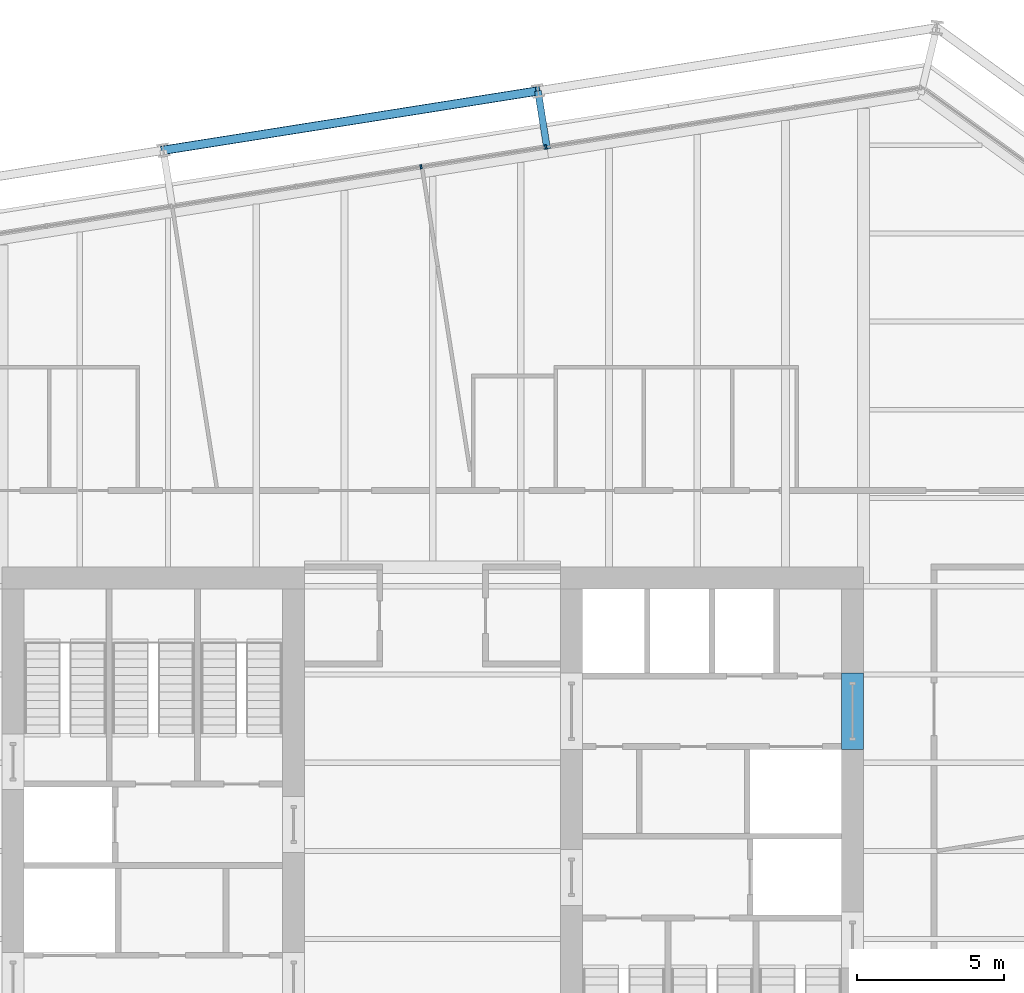
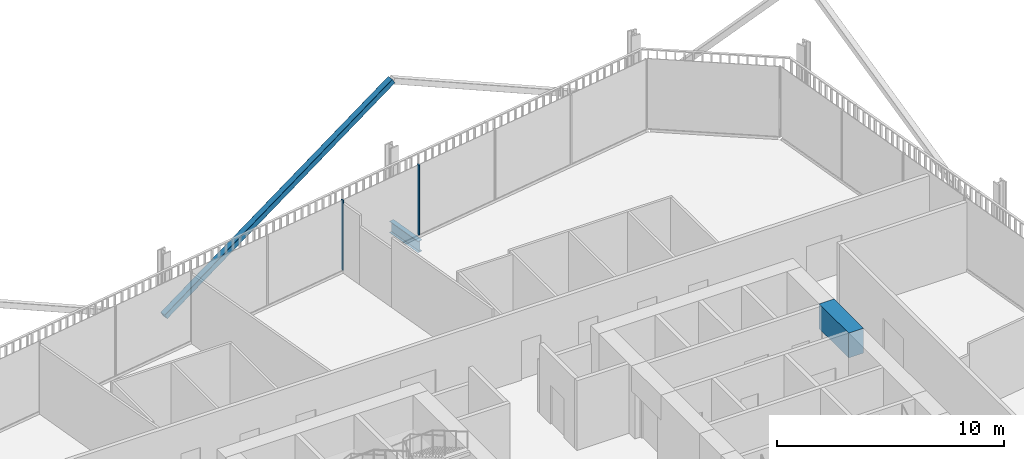
# One storey, part 13 of 22: 3 members, 2 beams, 1 element without a shape of its own.
"""IFC4 building model written with IfcOpenShell, lengths in metres."""

from ifc_helpers import new_model, si_unit, direction, frame, origin, origin_2d, place, context, subcontext, project, spatial, rectangle, hollow_rectangle, i_section, extrude, material, layer, layer_set, material_profile, profile_set, type_object, element, aggregate, save


model = new_model("IFC4")

# Units and contexts
model_context = context("Model", 3, precision=1e-05, world=origin(), true_north=direction((0.0, 1.0)))
body_context = subcontext(model_context, "Body", "Model", "MODEL_VIEW")
ifc_project = project(units=[si_unit("LENGTHUNIT", "METRE"), si_unit("AREAUNIT", "SQUARE_METRE"), si_unit("VOLUMEUNIT", "CUBIC_METRE"), si_unit("PLANEANGLEUNIT", "RADIAN"), si_unit("MASSUNIT", "GRAM", prefix="KILO")], contexts=[model_context])

# Site, building, storey
site_placement = place(None, origin())
site = spatial("IfcSite", under=ifc_project, at=site_placement, CompositionType="ELEMENT")
building_placement = place(site_placement, origin())
building = spatial("IfcBuilding", under=site, at=building_placement, Name="Millrace Tower", CompositionType="ELEMENT")
storey_placement = place(building_placement, frame((0.0, 0.0, 187.800048828125)))
storey = spatial("IfcBuildingStorey", under=building, at=storey_placement, Name="L42", CompositionType="ELEMENT", Elevation=187.800048828125)

# Curtain wall, members
ifc_material_1 = material(Name="Aluminium and glass", Category="aluminium")
ifc_layer = layer(ifc_material_1, 0.14990234375)
ifc_layer_set = layer_set([ifc_layer], Name="Aluminium and glass")
curtain_wall_type = type_object("IfcCurtainWallType", Name="CW-1 office vision curtain wall", PredefinedType="NOTDEFINED", material=ifc_layer_set)
curtain_wall_placement = place(storey_placement, origin())
curtain_wall = element("IfcCurtainWall", 1, at=curtain_wall_placement, inside=storey, type_object=curtain_wall_type, Name="Curtain wall C-F06 L42", PredefinedType="NOTDEFINED")
ifc_material_2 = material(Name="Aluminium", Category="aluminium")
ifc_material_profile_1 = material_profile(ifc_material_2, rectangle(XDim=0.06494140625, YDim=0.14990234375, at=origin_2d()))
ifc_profile_set_1 = profile_set([ifc_material_profile_1], Name="Aluminium")
member_type_1 = type_object("IfcMemberType", Name="CW-1 office vision curtain wall mullion", PredefinedType="MULLION", material=ifc_profile_set_1)
member_1_placement = place(storey_placement, frame((3.8505859375, 23.938720703125, 0.139892578125), z_axis=(0.0, 0.0, 1.0), x_axis=(-0.98768833929, -0.15643447328, 0.0)))
member_1 = element("IfcMember", 2, at=member_1_placement, type_object=member_type_1, Name="CW1 mullion C-F06.4", PredefinedType="MULLION", context=body_context, shape_type="SweptSolid", body=[
    extrude(rectangle(XDim=0.06494140625, YDim=0.14990234375, at=origin_2d()), origin(), (0.0, 0.0, 1.0), 3.760009765625),
])
member_2_placement = place(storey_placement, frame((-0.396484375, 23.26611328125, 0.139892578125), z_axis=(0.0, 0.0, 1.0), x_axis=(-0.98768833929, -0.15643447328, 0.0)))
member_2 = element("IfcMember", 3, at=member_2_placement, type_object=member_type_1, Name="CW1 mullion C-F06.5", PredefinedType="MULLION", context=body_context, shape_type="SweptSolid", body=[
    extrude(rectangle(XDim=0.06494140625, YDim=0.14990234375, at=origin_2d()), origin(), (0.0, 0.0, 1.0), 3.760009765625),
])
aggregate(curtain_wall, [member_1, member_2])

# Beam
ifc_material_3 = material(Name="Concrete C70", Category="concrete")
ifc_material_profile_2 = material_profile(ifc_material_3, rectangle(XDim=0.75, YDim=1.340087890625, at=origin_2d()))
ifc_profile_set_2 = profile_set([ifc_material_profile_2], Name="Concrete C70")
beam_type_1 = type_object("IfcBeamType", Name="Coupling beam 750 x 1340 Concrete C70, 2000 opening", PredefinedType="BEAM", material=ifc_profile_set_2)
beam_1_placement = place(storey_placement, frame((14.27490234375, 6.050048828125, 3.070068359375), z_axis=(0.0, -1.0, 0.0), x_axis=(1.0, 0.0, 0.0)))
element("IfcBeam", 4, at=beam_1_placement, inside=storey, type_object=beam_type_1, Name="Coupling beam E L42", PredefinedType="BEAM", context=body_context, shape_type="SweptSolid", body=[
    extrude(rectangle(XDim=0.75, YDim=1.340087890625, at=origin_2d()), origin(), (0.0, 0.0, 1.0), 2.60009765625),
])

# Member
ifc_material_4 = material(Name="Steel ASTM A500 Grade C", Category="steel")
ifc_material_profile_3 = material_profile(ifc_material_4, hollow_rectangle(XDim=0.3046875, YDim=0.3046875, WallThickness=0.0126953125, InnerFilletRadius=0.00634765625, OuterFilletRadius=0.01904296875, at=origin_2d()))
ifc_profile_set_3 = profile_set([ifc_material_profile_3], Name="Steel ASTM A500 Grade C")
member_type_2 = type_object("IfcMemberType", Name="Exoskeleton brace HSS12x12x1/2", PredefinedType="BRACE", material=ifc_profile_set_3)
member_3_placement = place(storey_placement, frame((-9.15966796875, 23.8271484375, 0.39990234375), z_axis=(0.868115902798, 0.137483289964, 0.476941426478), x_axis=(-0.15642030113, 0.987690583834, 0.0)))
element("IfcMember", 5, at=member_3_placement, inside=storey, type_object=member_type_2, Name="BRC-C-L42-11", PredefinedType="BRACE", context=body_context, shape_type="SweptSolid", body=[
    extrude(hollow_rectangle(XDim=0.3046875, YDim=0.3046875, WallThickness=0.0126953125, InnerFilletRadius=0.00634765625, OuterFilletRadius=0.01904296875, at=origin_2d()), origin(), (0.0, 0.0, 1.0), 14.6767578125),
])

# Beam
ifc_material_5 = material(Name="Steel ASTM A992 Grade 50", Category="steel")
ifc_material_profile_4 = material_profile(ifc_material_5, i_section(OverallWidth=0.23046875, OverallDepth=0.6171875, WebThickness=0.01318359375, FlangeThickness=0.022216796875, FilletRadius=0.012939453125, at=origin_2d()))
ifc_profile_set_4 = profile_set([ifc_material_profile_4], Name="Steel ASTM A992 Grade 50")
beam_type_2 = type_object("IfcBeamType", Name="Link beam W24x94", PredefinedType="BEAM", material=ifc_profile_set_4)
beam_2_placement = place(storey_placement, frame((3.894287109375, 23.86962890625, -0.46875), z_axis=(-0.15637629034, 0.987697552806, 0.0), x_axis=(-0.987697552806, -0.15637629034, 0.0)))
element("IfcBeam", 6, at=beam_2_placement, inside=storey, type_object=beam_type_2, Name="LNK-C-L42-S1-07", PredefinedType="BEAM", context=body_context, shape_type="SweptSolid", body=[
    extrude(i_section(OverallWidth=0.23046875, OverallDepth=0.6171875, WebThickness=0.01318359375, FlangeThickness=0.022216796875, FilletRadius=0.012939453125, at=origin_2d()), origin(), (0.0, 0.0, 1.0), 2.0),
])

save(model, "model.ifc")
